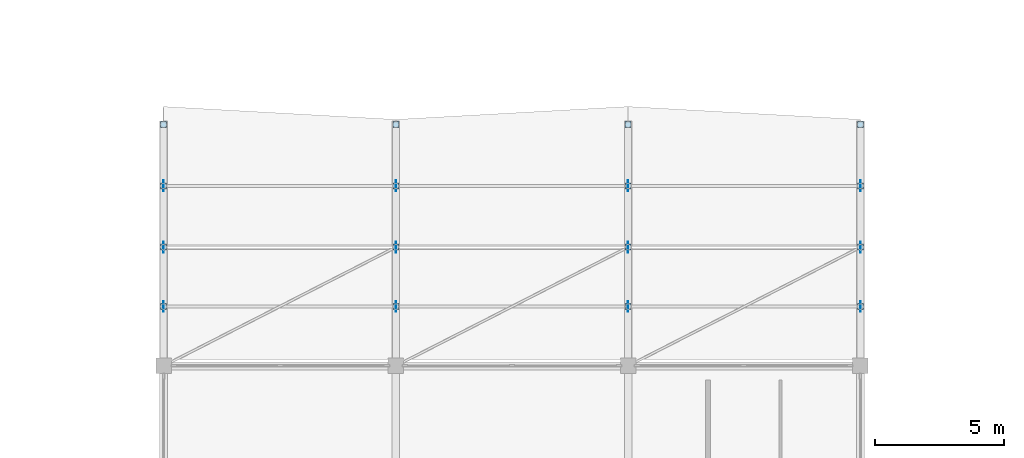
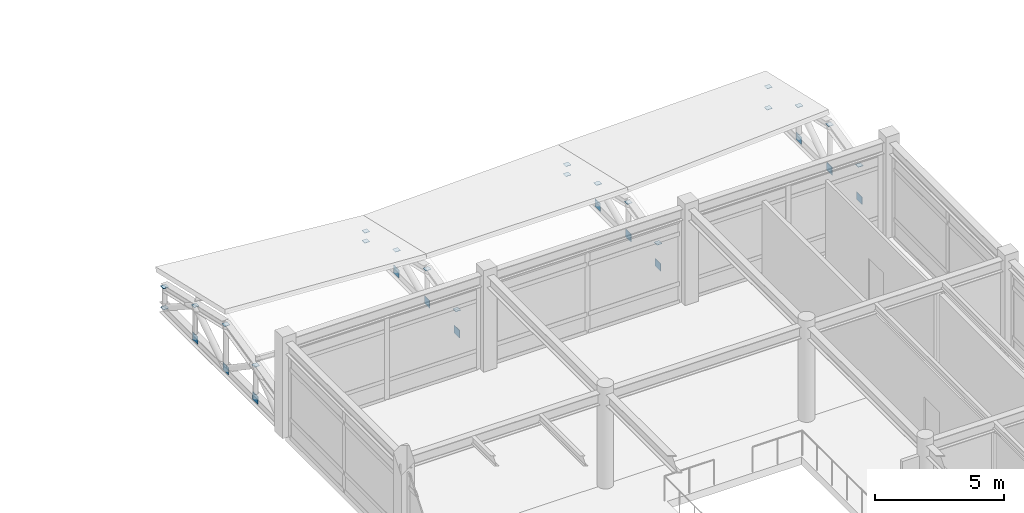
# One storey, part 43 of 61: 32 plates.
"""IFC4 building model written with IfcOpenShell, lengths in metres."""

from ifc_helpers import new_model, si_unit, direction, frame, origin, origin_2d, place, context, subcontext, project, spatial, rectangle, extrude, material, layer, layer_set, type_object, element, save


model = new_model("IFC4")

# Units and contexts
model_context = context("Model", 3, precision=1e-05, world=origin(), true_north=direction((0.0, 1.0)))
body_context = subcontext(model_context, "Body", "Model", "MODEL_VIEW")
ifc_project = project(units=[si_unit("LENGTHUNIT", "METRE"), si_unit("AREAUNIT", "SQUARE_METRE"), si_unit("VOLUMEUNIT", "CUBIC_METRE"), si_unit("PLANEANGLEUNIT", "RADIAN"), si_unit("MASSUNIT", "GRAM", prefix="KILO")], contexts=[model_context])

# Site, building, storey
site_placement = place(None, origin())
site = spatial("IfcSite", under=ifc_project, at=site_placement, CompositionType="ELEMENT")
building_placement = place(site_placement, origin())
building = spatial("IfcBuilding", under=site, at=building_placement, Name="Bozkorgan Art Gallery", CompositionType="ELEMENT")
storey_placement = place(building_placement, frame((0.0, 0.0, 10.199951171875)))
storey = spatial("IfcBuildingStorey", under=building, at=storey_placement, Name="L02", CompositionType="ELEMENT", Elevation=10.199951171875)

# Plates
ifc_material = material(Name="Steel S355J2", Category="steel")
ifc_layer_1 = layer(ifc_material, 0.01611328125, Name="Steel S355J2")
ifc_layer_set_1 = layer_set([ifc_layer_1], Name="Steel S355J2")
plate_type_1 = type_object("IfcPlateType", Name="PLATE-EC-05", PredefinedType="USERDEFINED", material=ifc_layer_set_1)
for number, where, z_axis, x_axis, name in (
    (1, (74.0, 95.89990234375, 1.808349609375), (0.0, 0.0, 1.0), (1.0, 0.0, 0.0), "Truss V4 post cap 1.1"),
    (2, (74.0, 98.199951171875, 2.33935546875), (0.0, 0.0, 1.0), (1.0, 0.0, 0.0), "Truss V4 post cap 1.2"),
    (3, (74.0, 100.574951171875, 1.791015625), (0.0, 0.0, 1.0), (1.0, 0.0, 0.0), "Truss V4 post cap 1.3"),
    (4, (74.0, 102.949951171875, 1.24267578125), (0.0, 0.0, 1.0), (1.0, 0.0, 0.0), "Truss V4 post cap 1.4"),
    (5, (74.0, 102.949951171875, 0.241943359375), (0.0, 0.0, 1.0), (1.0, 0.0, 0.0), "Truss V4 post base cap 1.4"),
    (6, (83.0, 95.89990234375, 1.281005859375), (0.0, 0.0, 1.0), (1.0, 0.0, 0.0), "Truss V4 post cap 2.1"),
    (7, (83.0, 98.199951171875, 1.81201171875), (0.0, 0.0, 1.0), (1.0, 0.0, 0.0), "Truss V4 post cap 2.2"),
    (8, (83.0, 100.574951171875, 1.263671875), (0.0, 0.0, 1.0), (1.0, 0.0, 0.0), "Truss V4 post cap 2.3"),
    (9, (83.0, 102.949951171875, 0.71533203125), (0.0, 0.0, 1.0), (1.0, 0.0, 0.0), "Truss V4 post cap 2.4"),
    (10, (83.0, 102.949951171875, 0.241943359375), (0.0, 0.0, 1.0), (1.0, 0.0, 0.0), "Truss V4 post base cap 2.4"),
    (11, (92.0, 95.89990234375, 1.281005859375), (0.0, 0.0, 1.0), (1.0, 0.0, 0.0), "Truss V4 post cap 3.1"),
    (12, (92.0, 98.199951171875, 1.81201171875), (0.0, 0.0, 1.0), (1.0, 0.0, 0.0), "Truss V4 post cap 3.2"),
    (13, (92.0, 100.574951171875, 1.263671875), (0.0, 0.0, 1.0), (1.0, 0.0, 0.0), "Truss V4 post cap 3.3"),
    (14, (92.0, 102.949951171875, 0.71533203125), (0.0, 0.0, 1.0), (1.0, 0.0, 0.0), "Truss V4 post cap 3.4"),
    (15, (92.0, 102.949951171875, 0.241943359375), (0.0, 0.0, 1.0), (1.0, 0.0, 0.0), "Truss V4 post base cap 3.4"),
    (16, (101.0, 95.89990234375, 1.808349609375), (0.0, 0.0, 1.0), (1.0, 0.0, 0.0), "Truss V4 post cap 4.1"),
    (17, (101.0, 98.199951171875, 2.33935546875), (0.0, 0.0, 1.0), (1.0, 0.0, 0.0), "Truss V4 post cap 4.2"),
    (18, (101.0, 100.574951171875, 1.791015625), (0.0, 0.0, 1.0), (1.0, 0.0, 0.0), "Truss V4 post cap 4.3"),
    (19, (101.0, 102.949951171875, 1.24267578125), (0.0, 0.0, 1.0), (1.0, 0.0, 0.0), "Truss V4 post cap 4.4"),
    (20, (101.0, 102.949951171875, 0.241943359375), (0.0, 0.0, 1.0), (1.0, 0.0, 0.0), "Truss V4 post base cap 4.4"),
):
    element("IfcPlate", number, at=place(storey_placement, frame(where, z_axis=z_axis, x_axis=x_axis)), inside=storey, type_object=plate_type_1, Name=name, ObjectType="END CAP PLATE", PredefinedType="USERDEFINED", context=body_context, shape_type="SweptSolid", body=[
        extrude(rectangle(XDim=0.22998046875, YDim=0.22998046875, at=origin_2d()), origin(), (0.0, 0.0, 1.0), 0.01611328125),
    ])
ifc_layer_2 = layer(ifc_material, 0.02392578125, Name="Steel S355J2")
ifc_layer_set_2 = layer_set([ifc_layer_2], Name="Steel S355J2")
plate_type_2 = type_object("IfcPlateType", Name="PLATE-GP-38", PredefinedType="USERDEFINED", material=ifc_layer_set_2)
for number, where, z_axis, x_axis, name in (
    (21, (74.0, 98.199951171875, 0.06982421875), (0.0, 0.0, 1.0), (1.0, 0.0, 0.0), "Truss V4 span 1 node gusset TN-2"),
    (22, (83.0, 98.199951171875, 0.06982421875), (0.0, 0.0, 1.0), (1.0, 0.0, 0.0), "Truss V4 span 2 node gusset TN-2"),
    (23, (92.0, 98.199951171875, 0.06982421875), (0.0, 0.0, 1.0), (1.0, 0.0, 0.0), "Truss V4 span 3 node gusset TN-2"),
    (24, (101.0, 98.199951171875, 0.06982421875), (0.0, 0.0, 1.0), (1.0, 0.0, 0.0), "Truss V4 span 4 node gusset TN-2"),
):
    element("IfcPlate", number, at=place(storey_placement, frame(where, z_axis=z_axis, x_axis=x_axis)), inside=storey, type_object=plate_type_2, Name=name, ObjectType="GUSSET PLATE", PredefinedType="USERDEFINED", context=body_context, shape_type="SweptSolid", body=[
        extrude(rectangle(XDim=0.02001953125, YDim=0.419921875, at=origin_2d()), origin(), (0.0, 0.0, 1.0), 0.360107421875),
    ])
ifc_layer_3 = layer(ifc_material, 0.02001953125, Name="Steel S355J2")
ifc_layer_set_3 = layer_set([ifc_layer_3], Name="Steel S355J2")
plate_type_3 = type_object("IfcPlateType", Name="PLATE-GP-55", PredefinedType="USERDEFINED", material=ifc_layer_set_3)
for number, where, z_axis, x_axis, name in (
    (25, (74.0, 95.89990234375, 0.06982421875), (0.0, 0.0, 1.0), (1.0, 0.0, 0.0), "Truss V4 span 1 node gusset TN-1"),
    (26, (74.0, 100.574951171875, 0.06982421875), (0.0, 0.0, 1.0), (1.0, 0.0, 0.0), "Truss V4 span 1 node gusset TN-3"),
    (27, (83.0, 95.89990234375, 0.06982421875), (0.0, 0.0, 1.0), (1.0, 0.0, 0.0), "Truss V4 span 2 node gusset TN-1"),
    (28, (83.0, 100.574951171875, 0.06982421875), (0.0, 0.0, 1.0), (1.0, 0.0, 0.0), "Truss V4 span 2 node gusset TN-3"),
    (29, (92.0, 95.89990234375, 0.06982421875), (0.0, 0.0, 1.0), (1.0, 0.0, 0.0), "Truss V4 span 3 node gusset TN-1"),
    (30, (92.0, 100.574951171875, 0.06982421875), (0.0, 0.0, 1.0), (1.0, 0.0, 0.0), "Truss V4 span 3 node gusset TN-3"),
    (31, (101.0, 95.89990234375, 0.06982421875), (0.0, 0.0, 1.0), (1.0, 0.0, 0.0), "Truss V4 span 4 node gusset TN-1"),
    (32, (101.0, 100.574951171875, 0.06982421875), (0.0, 0.0, 1.0), (1.0, 0.0, 0.0), "Truss V4 span 4 node gusset TN-3"),
):
    element("IfcPlate", number, at=place(storey_placement, frame(where, z_axis=z_axis, x_axis=x_axis)), inside=storey, type_object=plate_type_3, Name=name, ObjectType="GUSSET PLATE", PredefinedType="USERDEFINED", context=body_context, shape_type="SweptSolid", body=[
        extrude(rectangle(XDim=0.02001953125, YDim=0.419921875, at=origin_2d()), origin(), (0.0, 0.0, 1.0), 0.360107421875),
    ])

save(model, "model.ifc")
